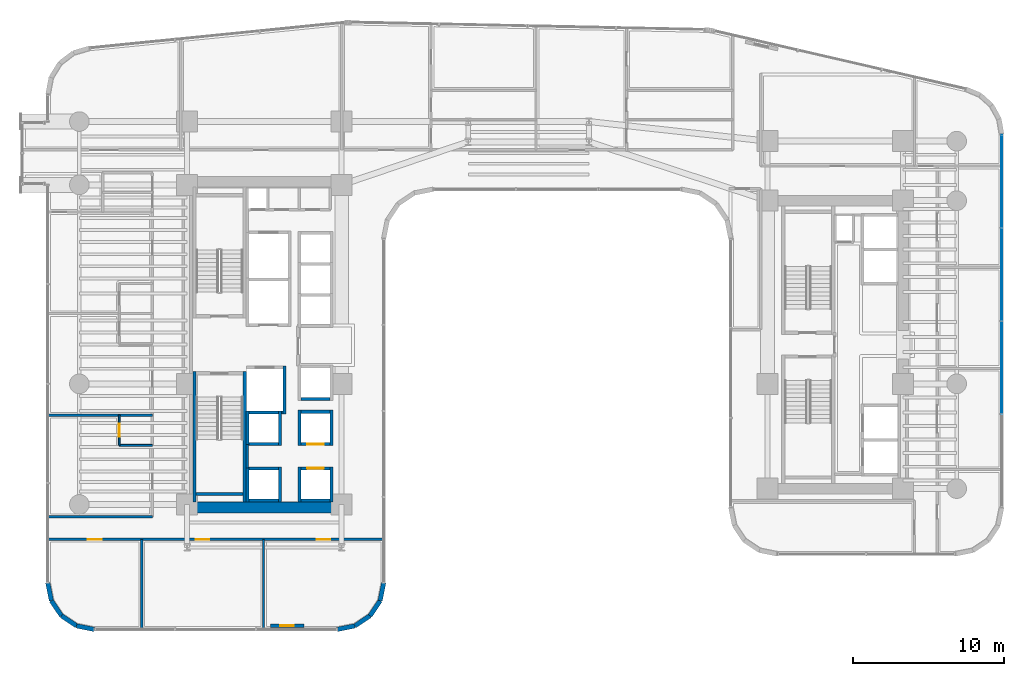
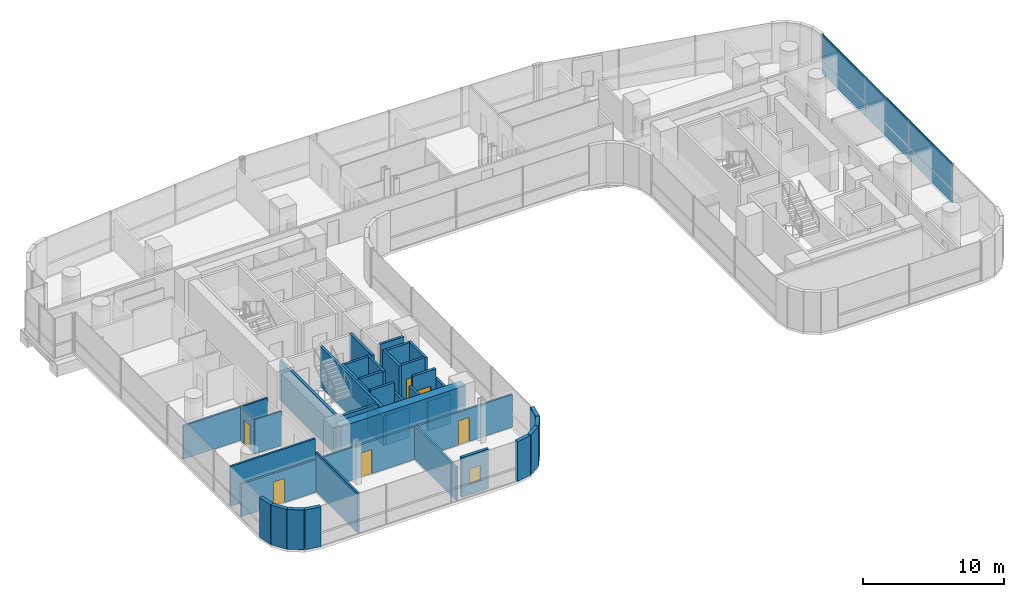
# One storey, part 31 of 41: 39 walls, 6 doors, 5 plates, 1 window, 7 openings, 1 element without a shape of its own.
"""IFC4 building model written with IfcOpenShell, lengths in metres."""

from ifc_helpers import new_model, si_unit, direction, frame, frame_2d, origin, origin_2d, place, context, subcontext, project, spatial, rectangle, extrude, source, transform, mapped, material, layer, layer_set, type_object, element, fill, aggregate, save


model = new_model("IFC4")

# Units and contexts
model_context = context("Model", 3, precision=1e-05, world=origin(), true_north=direction((0.0, 1.0)))
body_context = subcontext(model_context, "Body", "Model", "MODEL_VIEW")
ifc_project = project(units=[si_unit("LENGTHUNIT", "METRE"), si_unit("AREAUNIT", "SQUARE_METRE"), si_unit("VOLUMEUNIT", "CUBIC_METRE"), si_unit("PLANEANGLEUNIT", "RADIAN"), si_unit("MASSUNIT", "GRAM", prefix="KILO")], contexts=[model_context])

# Site, building, storey
site_placement = place(None, origin())
site = spatial("IfcSite", under=ifc_project, at=site_placement, CompositionType="ELEMENT")
building_placement = place(site_placement, origin())
building = spatial("IfcBuilding", under=site, at=building_placement, Name="Valdorenza Pilgrim Sanctuary Tower", CompositionType="ELEMENT")
storey_placement = place(building_placement, frame((0.0, 0.0, 85.199951171875)))
storey = spatial("IfcBuildingStorey", under=building, at=storey_placement, Name="L21", CompositionType="ELEMENT", Elevation=85.199951171875)

# Curtain wall, plates
ifc_material_1 = material(Name="Curtain-wall IGU glazing", Category="glass")
curtain_wall_type = type_object("IfcCurtainWallType", Name="CW-SYS-03", PredefinedType="NOTDEFINED", material=ifc_material_1)
curtain_wall_placement = place(storey_placement, origin())
curtain_wall = element("IfcCurtainWall", 1, at=curtain_wall_placement, inside=storey, type_object=curtain_wall_type, Name="L21 Curtain Wall CW-L21-1-21", PredefinedType="NOTDEFINED")
ifc_material_2 = material(Name="Honed travertine limestone", Category="masonry")
ifc_layer_1 = layer(ifc_material_2, 0.050048828125, Name="Honed travertine limestone")
ifc_layer_set_1 = layer_set([ifc_layer_1], Name="Honed travertine limestone")
plate_type_1 = type_object("IfcPlateType", Name="CW-SPN-TRV", PredefinedType="USERDEFINED", material=ifc_layer_set_1)
shared_shape_1 = source(origin(), body_context, "Body", "SweptSolid", [
    extrude(rectangle(XDim=6.16357421875, YDim=0.06005859375, at=origin_2d()), origin(), (0.0, 0.0, 1.0), 1.10009765625),
])
plate_1_placement = place(storey_placement, frame((31.389892578125, 10.853271484375, 0.010009765625), z_axis=(0.0, 0.0, 1.0), x_axis=(0.0, -1.0, 0.0)))
plate_1 = element("IfcPlate", 2, at=plate_1_placement, type_object=plate_type_1, Name="CW-L21-1-21 Travertine Spandrel 1", ObjectType="SPANDREL", PredefinedType="USERDEFINED", context=body_context, shape_type="MappedRepresentation", body=[
    mapped(shared_shape_1, transform((0.0, 0.0, 0.0), x_axis=(1.0, 0.0, 0.0), y_axis=(0.0, 1.0, 0.0), z_axis=(0.0, 0.0, 1.0), scale=1.0)),
])
plate_2_placement = place(storey_placement, frame((31.389892578125, -1.513916015625, 0.010009765625), z_axis=(0.0, 0.0, 1.0), x_axis=(0.0, -1.0, 0.0)))
plate_2 = element("IfcPlate", 3, at=plate_2_placement, type_object=plate_type_1, Name="CW-L21-1-21 Travertine Spandrel 3", ObjectType="SPANDREL", PredefinedType="USERDEFINED", context=body_context, shape_type="MappedRepresentation", body=[
    mapped(shared_shape_1, transform((0.0, 0.0, 0.0), x_axis=(1.0, 0.0, 0.0), y_axis=(0.0, 1.0, 0.0), z_axis=(0.0, 0.0, 1.0), scale=1.0)),
])
ifc_material_3 = material(Name="Ceramic-fritted low-E IGU glazing", Category="glass")
ifc_layer_2 = layer(ifc_material_3, 0.035888671875, Name="Ceramic-fritted low-E IGU glazing")
ifc_layer_set_2 = layer_set([ifc_layer_2], Name="Ceramic-fritted low-E IGU glazing")
plate_type_2 = type_object("IfcPlateType", Name="CW-GLZ-IGU", PredefinedType="USERDEFINED", material=ifc_layer_set_2)
shared_shape_2 = source(origin(), body_context, "Body", "SweptSolid", [
    extrude(rectangle(XDim=6.16357421875, YDim=0.050048828125, at=origin_2d()), origin(), (0.0, 0.0, 1.0), 2.320068359375),
])
plate_3_placement = place(storey_placement, frame((31.389892578125, 10.853271484375, 1.1298828125), z_axis=(0.0, 0.0, 1.0), x_axis=(0.0, -1.0, 0.0)))
plate_3 = element("IfcPlate", 4, at=plate_3_placement, type_object=plate_type_2, Name="CW-L21-1-21 Facade Panel 1", ObjectType="GLAZING", PredefinedType="USERDEFINED", context=body_context, shape_type="MappedRepresentation", body=[
    mapped(shared_shape_2, transform((0.0, 0.0, 0.0), x_axis=(1.0, 0.0, 0.0), y_axis=(0.0, 1.0, 0.0), z_axis=(0.0, 0.0, 1.0), scale=1.0)),
])
plate_4_placement = place(storey_placement, frame((31.389892578125, -1.513916015625, 1.1298828125), z_axis=(0.0, 0.0, 1.0), x_axis=(0.0, -1.0, 0.0)))
plate_4 = element("IfcPlate", 5, at=plate_4_placement, type_object=plate_type_2, Name="CW-L21-1-21 Facade Panel 3", ObjectType="GLAZING", PredefinedType="USERDEFINED", context=body_context, shape_type="MappedRepresentation", body=[
    mapped(shared_shape_2, transform((0.0, 0.0, 0.0), x_axis=(1.0, 0.0, 0.0), y_axis=(0.0, 1.0, 0.0), z_axis=(0.0, 0.0, 1.0), scale=1.0)),
])
shared_shape_3 = source(origin(), body_context, "Body", "SweptSolid", [
    extrude(rectangle(XDim=6.16357421875, YDim=0.050048828125, at=origin_2d()), origin(), (0.0, 0.0, 1.0), 3.43994140625),
])
plate_5_placement = place(storey_placement, frame((31.389892578125, 4.669677734375, 0.010009765625), z_axis=(0.0, 0.0, 1.0), x_axis=(0.0, -1.0, 0.0)))
plate_5 = element("IfcPlate", 6, at=plate_5_placement, type_object=plate_type_2, Name="CW-L21-1-21 Full-Height Facade Panel 2", ObjectType="GLAZING", PredefinedType="USERDEFINED", context=body_context, shape_type="MappedRepresentation", body=[
    mapped(shared_shape_3, transform((0.0, 0.0, 0.0), x_axis=(1.0, 0.0, 0.0), y_axis=(0.0, 1.0, 0.0), z_axis=(0.0, 0.0, 1.0), scale=1.0)),
])
aggregate(curtain_wall, [plate_1, plate_3, plate_5, plate_2, plate_4])

# Wall
ifc_material_4 = material(Name="Acoustic twin-stud gypsum partition", Category="gypsum")
ifc_layer_3 = layer(ifc_material_4, 0.159912109375, Name="Acoustic twin-stud gypsum partition")
ifc_layer_set_3 = layer_set([ifc_layer_3], Name="Acoustic twin-stud gypsum partition")
wall_type_1 = type_object("IfcWallType", Name="WAL-COR-160", PredefinedType="PARTITIONING", material=ifc_layer_set_3)
wall_1_placement = place(storey_placement, frame((-18.64990234375, -8.179931640625, 0.0), z_axis=(0.0, 0.0, 1.0), x_axis=(0.0, 1.0, 0.0)))
element("IfcWall", 7, at=wall_1_placement, inside=storey, type_object=wall_type_1, Name="L21 Core A South Lift Hall West Wall", PredefinedType="PARTITIONING", context=body_context, shape_type="SweptSolid", body=[
    extrude(rectangle(XDim=1.559814453125, YDim=0.159912109375, at=frame_2d((0.77978515625, 0.0))), origin(), (0.0, 0.0, 1.0), 3.4599609375),
])

# Wall, openings, doors
wall_2_placement = place(storey_placement, frame((-31.889892578125, -12.919921875, 0.0), z_axis=(0.0, 0.0, 1.0), x_axis=(1.0, 0.0, 0.0)))
wall_2 = element("IfcWall", 8, at=wall_2_placement, inside=storey, type_object=wall_type_1, Name="L21 South Wing Corridor Wall", PredefinedType="PARTITIONING", context=body_context, shape_type="SweptSolid", body=[
    extrude(rectangle(XDim=22.27978515625, YDim=0.159912109375, at=frame_2d((11.139892578125, 0.0))), origin(), (0.0, 0.0, 1.0), 2.833984375),
])
opening_1_placement = place(wall_2_placement, frame((2.6650390625, 0.0, 0.0)))
opening_1 = element("IfcOpeningElement", 9, at=opening_1_placement, cuts=wall_2, Name="Opening DR-RM1", PredefinedType="OPENING", context=body_context, shape_type="SweptSolid", body=[
    extrude(rectangle(XDim=0.89990234375, YDim=2.10009765625, at=frame_2d((0.449951171875, 1.050048828125))), frame((0.0, 0.0947265625, 0.0), z_axis=(0.0, -1.0, 0.0), x_axis=(1.0, 0.0, 0.0)), (0.0, 0.0, 1.0), 0.189697265625),
])
opening_2_placement = place(wall_2_placement, frame((9.820068359375, 0.0, 0.0)))
opening_2 = element("IfcOpeningElement", 10, at=opening_2_placement, cuts=wall_2, Name="Opening DR-RM1", PredefinedType="OPENING", context=body_context, shape_type="SweptSolid", body=[
    extrude(rectangle(XDim=0.89990234375, YDim=2.10009765625, at=frame_2d((0.449951171875, 1.050048828125))), frame((0.0, 0.0947265625, 0.0), z_axis=(0.0, -1.0, 0.0), x_axis=(1.0, 0.0, 0.0)), (0.0, 0.0, 1.0), 0.189697265625),
])
opening_3_placement = place(wall_2_placement, frame((17.844970703125, 0.0, 0.0)))
opening_3 = element("IfcOpeningElement", 11, at=opening_3_placement, cuts=wall_2, Name="Opening DR-RM1", PredefinedType="OPENING", context=body_context, shape_type="SweptSolid", body=[
    extrude(rectangle(XDim=0.89990234375, YDim=2.10009765625, at=frame_2d((0.449951171875, 1.050048828125))), frame((0.0, 0.0947265625, 0.0), z_axis=(0.0, -1.0, 0.0), x_axis=(1.0, 0.0, 0.0)), (0.0, 0.0, 1.0), 0.189697265625),
])
ifc_material_5 = material(Name="Solid-core European oak timber", Category="wood")
door_type_1 = type_object("IfcDoorType", Name="DR-ROOM-900", OperationType="NOTDEFINED", PredefinedType="DOOR", material=ifc_material_5)
door_1_placement = place(opening_1_placement, frame((0.89990234375, 0.0, 0.0), z_axis=(0.0, 0.0, 1.0), x_axis=(-1.0, 0.0, 0.0)))
door_1 = element("IfcDoor", 12, at=door_1_placement, inside=storey, type_object=door_type_1, Name="L21 Retreat Discussion Room L21-S1 Door", OperationType="SINGLE_SWING_LEFT", OverallHeight=2.10009765625, OverallWidth=0.89990234375, PredefinedType="DOOR", context=body_context, shape_type="SweptSolid", body=[
    extrude(rectangle(XDim=0.89990234375, YDim=2.10009765625, at=frame_2d((0.449951171875, 1.050048828125))), frame((0.0, 0.02490234375, 0.0), z_axis=(0.0, -1.0, 0.0), x_axis=(1.0, 0.0, 0.0)), (0.0, 0.0, 1.0), 0.050048828125),
])
fill(opening_1, door_1)
door_2_placement = place(opening_2_placement, origin())
door_2 = element("IfcDoor", 13, at=door_2_placement, inside=storey, type_object=door_type_1, Name="L21 Retreat Discussion Room L21-S2 Door", OperationType="SINGLE_SWING_RIGHT", OverallHeight=2.10009765625, OverallWidth=0.89990234375, PredefinedType="DOOR", context=body_context, shape_type="SweptSolid", body=[
    extrude(rectangle(XDim=0.89990234375, YDim=2.10009765625, at=frame_2d((0.449951171875, 1.050048828125))), frame((0.0, 0.02490234375, 0.0), z_axis=(0.0, -1.0, 0.0), x_axis=(1.0, 0.0, 0.0)), (0.0, 0.0, 1.0), 0.050048828125),
])
fill(opening_2, door_2)
door_3_placement = place(opening_3_placement, frame((0.89990234375, 0.0, 0.0), z_axis=(0.0, 0.0, 1.0), x_axis=(-1.0, 0.0, 0.0)))
door_3 = element("IfcDoor", 14, at=door_3_placement, inside=storey, type_object=door_type_1, Name="L21 Retreat Discussion Room L21-S3 Door", OperationType="SINGLE_SWING_LEFT", OverallHeight=2.10009765625, OverallWidth=0.89990234375, PredefinedType="DOOR", context=body_context, shape_type="SweptSolid", body=[
    extrude(rectangle(XDim=0.89990234375, YDim=2.10009765625, at=frame_2d((0.449951171875, 1.050048828125))), frame((0.0, 0.02490234375, 0.0), z_axis=(0.0, -1.0, 0.0), x_axis=(1.0, 0.0, 0.0)), (0.0, 0.0, 1.0), 0.050048828125),
])
fill(opening_3, door_3)

# Walls
wall_3_placement = place(storey_placement, frame((-31.889892578125, -11.419921875, 0.0), z_axis=(0.0, 0.0, 1.0), x_axis=(1.0, 0.0, 0.0)))
element("IfcWall", 15, at=wall_3_placement, inside=storey, type_object=wall_type_1, Name="L21 South-West Corridor North Wall", PredefinedType="PARTITIONING", context=body_context, shape_type="SweptSolid", body=[
    extrude(rectangle(XDim=6.93994140625, YDim=0.159912109375, at=frame_2d((3.469970703125, 0.0))), origin(), (0.0, 0.0, 1.0), 3.4599609375),
])
ifc_material_6 = material(Name="Concrete C60/75", Category="concrete")
ifc_layer_4 = layer(ifc_material_6, 0.699951171875, Name="Concrete C60/75")
ifc_layer_set_4 = layer_set([ifc_layer_4], Name="Concrete C60/75")
wall_type_2 = type_object("IfcWallType", Name="WAL-COR-700", PredefinedType="SHEAR", material=ifc_layer_set_4)
wall_4_placement = place(storey_placement, frame((-22.64990234375, -10.800048828125, 0.0), z_axis=(0.0, 0.0, 1.0), x_axis=(1.0, 0.0, 0.0)))
element("IfcWall", 16, at=wall_4_placement, inside=storey, type_object=wall_type_2, Name="L21 Split Core A Shear Wall S", PredefinedType="SHEAR", context=body_context, shape_type="SweptSolid", body=[
    extrude(rectangle(XDim=10.25, YDim=0.699951171875, at=frame_2d((5.125, 0.0))), origin(), (0.0, 0.0, 1.0), 3.4599609375),
])
ifc_layer_5 = layer(ifc_material_2, 0.300048828125, Name="Honed travertine limestone")
ifc_layer_set_5 = layer_set([ifc_layer_5], Name="Honed travertine limestone")
wall_type_3 = type_object("IfcWallType", Name="WAL-EXT-300", PredefinedType="SOLIDWALL", material=ifc_layer_set_5)
wall_5_placement = place(storey_placement, frame((-9.610107421875, -15.789306640625, 0.0), z_axis=(0.0, 0.0, 1.0), x_axis=(-0.194996050505, -0.980804027463, 0.0)))
element("IfcWall", 17, at=wall_5_placement, inside=storey, type_object=wall_type_3, Name="L21 Rounded Wind-Corner Stone Pier 42", PredefinedType="SOLIDWALL", context=body_context, shape_type="SweptSolid", body=[
    extrude(rectangle(XDim=1.2158203125, YDim=0.300048828125, at=frame_2d((0.60791015625, 0.0))), origin(), (0.0, 0.0, 1.0), 3.4599609375),
])
for number, where, z_axis, x_axis, name in (
    (18, (-9.84716796875, -16.981689453125, 0.0), (0.0, 0.0, 1.0), (-0.555635100982, -0.831426265255, 0.0), "L21 Rounded Wind-Corner Stone Pier 43"),
    (19, (-10.5166015625, -17.9833984375, 0.0), (0.0, 0.0, 1.0), (-0.831426265255, -0.555635100982, 0.0), "L21 Rounded Wind-Corner Stone Pier 44"),
):
    element("IfcWall", number, at=place(storey_placement, frame(where, z_axis=z_axis, x_axis=x_axis)), inside=storey, type_object=wall_type_3, Name=name, PredefinedType="SOLIDWALL", context=body_context, shape_type="SweptSolid", body=[
        extrude(rectangle(XDim=1.204833984375, YDim=0.300048828125, at=frame_2d((0.6025390625, 0.0))), origin(), (0.0, 0.0, 1.0), 3.4599609375),
    ])
wall_6_placement = place(storey_placement, frame((-11.518310546875, -18.65283203125, 0.0), z_axis=(0.0, 0.0, 1.0), x_axis=(-0.980804027463, -0.194996050505, 0.0)))
element("IfcWall", 20, at=wall_6_placement, inside=storey, type_object=wall_type_3, Name="L21 Rounded Wind-Corner Stone Pier 45", PredefinedType="SOLIDWALL", context=body_context, shape_type="SweptSolid", body=[
    extrude(rectangle(XDim=1.2158203125, YDim=0.300048828125, at=frame_2d((0.60791015625, 0.0))), origin(), (0.0, 0.0, 1.0), 3.4599609375),
])

# Wall, opening, window
wall_7_placement = place(storey_placement, frame((-14.910888671875, -18.64990234375, 0.0), z_axis=(0.0, 0.0, 1.0), x_axis=(-1.0, 0.0, 0.0)))
wall_7 = element("IfcWall", 21, at=wall_7_placement, inside=storey, type_object=wall_type_3, Name="L21 Operable Ventilation Sash Jamb Pier", PredefinedType="SOLIDWALL", context=body_context, shape_type="SweptSolid", body=[
    extrude(rectangle(XDim=2.199951171875, YDim=0.219970703125, at=frame_2d((1.10009765625, 0.0))), origin(), (0.0, 0.0, 1.0), 3.4599609375),
])
opening_4_placement = place(wall_7_placement, frame((0.64990234375, 0.0, 0.949951171875)))
opening_4 = element("IfcOpeningElement", 22, at=opening_4_placement, cuts=wall_7, Name="Opening WN-OP1", PredefinedType="OPENING", context=body_context, shape_type="SweptSolid", body=[
    extrude(rectangle(XDim=0.89990234375, YDim=1.300048828125, at=frame_2d((0.449951171875, 0.64990234375))), frame((0.0, 0.125, 0.0), z_axis=(0.0, -1.0, 0.0), x_axis=(1.0, 0.0, 0.0)), (0.0, 0.0, 1.0), 0.249755859375),
])
window_type = type_object("IfcWindowType", Name="WIN-OPN-900", PartitioningType="SINGLE_PANEL", PredefinedType="WINDOW", material=ifc_material_3)
window_placement = place(opening_4_placement, origin())
window = element("IfcWindow", 23, at=window_placement, inside=storey, type_object=window_type, Name="L21 Parallel-Pop-Out Operable Facade Panel", OverallHeight=1.300048828125, OverallWidth=0.89990234375, PartitioningType="SINGLE_PANEL", PredefinedType="WINDOW", context=body_context, shape_type="SweptSolid", body=[
    extrude(rectangle(XDim=0.89990234375, YDim=1.300048828125, at=frame_2d((0.449951171875, 0.64990234375))), frame((0.0, 0.030029296875, 0.0), z_axis=(0.0, -1.0, 0.0), x_axis=(1.0, 0.0, 0.0)), (0.0, 0.0, 1.0), 0.06005859375),
])
fill(opening_4, window)

# Walls
wall_8_placement = place(storey_placement, frame((-28.789306640625, -18.889892578125, 0.0), z_axis=(0.0, 0.0, 1.0), x_axis=(-0.980804027463, 0.194996050505, 0.0)))
element("IfcWall", 24, at=wall_8_placement, inside=storey, type_object=wall_type_3, Name="L21 Rounded Wind-Corner Stone Pier 47", PredefinedType="SOLIDWALL", context=body_context, shape_type="SweptSolid", body=[
    extrude(rectangle(XDim=1.2158203125, YDim=0.300048828125, at=frame_2d((0.60791015625, 0.0))), origin(), (0.0, 0.0, 1.0), 3.4599609375),
])
for number, where, z_axis, x_axis, name in (
    (25, (-29.981689453125, -18.65283203125, 0.0), (0.0, 0.0, 1.0), (-0.831426265255, 0.555635100982, 0.0), "L21 Rounded Wind-Corner Stone Pier 48"),
    (26, (-30.9833984375, -17.9833984375, 0.0), (0.0, 0.0, 1.0), (-0.555635100982, 0.831426265255, 0.0), "L21 Rounded Wind-Corner Stone Pier 49"),
):
    element("IfcWall", number, at=place(storey_placement, frame(where, z_axis=z_axis, x_axis=x_axis)), inside=storey, type_object=wall_type_3, Name=name, PredefinedType="SOLIDWALL", context=body_context, shape_type="SweptSolid", body=[
        extrude(rectangle(XDim=1.204833984375, YDim=0.300048828125, at=frame_2d((0.6025390625, 0.0))), origin(), (0.0, 0.0, 1.0), 3.4599609375),
    ])
wall_9_placement = place(storey_placement, frame((-31.65283203125, -16.981689453125, 0.0), z_axis=(0.0, 0.0, 1.0), x_axis=(-0.194996050505, 0.980804027463, 0.0)))
element("IfcWall", 27, at=wall_9_placement, inside=storey, type_object=wall_type_3, Name="L21 Rounded Wind-Corner Stone Pier 50", PredefinedType="SOLIDWALL", context=body_context, shape_type="SweptSolid", body=[
    extrude(rectangle(XDim=1.2158203125, YDim=0.300048828125, at=frame_2d((0.60791015625, 0.0))), origin(), (0.0, 0.0, 1.0), 3.4599609375),
])
ifc_material_7 = material(Name="Moisture-resistant gypsum partition", Category="gypsum")
ifc_layer_6 = layer(ifc_material_7, 0.1201171875, Name="Moisture-resistant gypsum partition")
ifc_layer_set_6 = layer_set([ifc_layer_6], Name="Moisture-resistant gypsum partition")
wall_type_4 = type_object("IfcWallType", Name="WAL-INT-120", PredefinedType="PARTITIONING", material=ifc_layer_set_6)
wall_10_placement = place(storey_placement, frame((-27.14990234375, -6.679931640625, 0.0), z_axis=(0.0, 0.0, 1.0), x_axis=(1.0, 0.0, 0.0)))
element("IfcWall", 28, at=wall_10_placement, inside=storey, type_object=wall_type_4, Name="L21 Sanctuary Guest Room L21-W1 En-suite South Wall", PredefinedType="PARTITIONING", context=body_context, shape_type="SweptSolid", body=[
    extrude(rectangle(XDim=2.199951171875, YDim=0.1201171875, at=frame_2d((1.10009765625, 0.0))), origin(), (0.0, 0.0, 1.0), 2.97900390625),
])

# Wall, opening, door
wall_11_placement = place(storey_placement, frame((-27.14990234375, -6.679931640625, 0.0), z_axis=(0.0, 0.0, 1.0), x_axis=(0.0, 1.0, 0.0)))
wall_11 = element("IfcWall", 29, at=wall_11_placement, inside=storey, type_object=wall_type_4, Name="L21 Sanctuary Guest Room L21-W1 En-suite Door Wall", PredefinedType="PARTITIONING", context=body_context, shape_type="SweptSolid", body=[
    extrude(rectangle(XDim=2.0, YDim=0.1201171875, at=frame_2d((1.0, 0.0))), origin(), (0.0, 0.0, 1.0), 2.97900390625),
])
opening_5_placement = place(wall_11_placement, frame((0.574951171875, 0.0, 0.0)))
opening_5 = element("IfcOpeningElement", 30, at=opening_5_placement, cuts=wall_11, Name="Opening DR-WC1", PredefinedType="OPENING", context=body_context, shape_type="SweptSolid", body=[
    extrude(rectangle(XDim=0.85009765625, YDim=2.10009765625, at=frame_2d((0.425048828125, 1.050048828125))), frame((0.0, 0.074951171875, 0.0), z_axis=(0.0, -1.0, 0.0), x_axis=(1.0, 0.0, 0.0)), (0.0, 0.0, 1.0), 0.14990234375),
])
ifc_material_8 = material(Name="Moisture-resistant lacquered timber", Category="wood")
door_type_2 = type_object("IfcDoorType", Name="DR-BATH-850", OperationType="NOTDEFINED", PredefinedType="DOOR", material=ifc_material_8)
door_4_placement = place(opening_5_placement, origin())
door_4 = element("IfcDoor", 31, at=door_4_placement, inside=storey, type_object=door_type_2, Name="L21 Sanctuary Guest Room L21-W1 En-suite Bathroom Door", OperationType="SINGLE_SWING_RIGHT", OverallHeight=2.10009765625, OverallWidth=0.85009765625, PredefinedType="DOOR", context=body_context, shape_type="SweptSolid", body=[
    extrude(rectangle(XDim=0.85009765625, YDim=2.10009765625, at=frame_2d((0.425048828125, 1.050048828125))), frame((0.0, 0.02490234375, 0.0), z_axis=(0.0, -1.0, 0.0), x_axis=(1.0, 0.0, 0.0)), (0.0, 0.0, 1.0), 0.050048828125),
])
fill(opening_5, door_4)

# Walls
ifc_material_9 = material(Name="Autoclaved aerated concrete blockwork", Category="masonry")
ifc_layer_7 = layer(ifc_material_9, 0.199951171875, Name="Autoclaved aerated concrete blockwork")
ifc_layer_set_7 = layer_set([ifc_layer_7], Name="Autoclaved aerated concrete blockwork")
wall_type_5 = type_object("IfcWallType", Name="WAL-SHF-200", PredefinedType="MOVABLE", material=ifc_layer_set_7)
wall_12_placement = place(storey_placement, frame((-16.199951171875, -4.60009765625, 0.0), z_axis=(0.0, 0.0, 1.0), x_axis=(0.0, 1.0, 0.0)))
element("IfcWall", 32, at=wall_12_placement, inside=storey, type_object=wall_type_5, Name="L21 Lift FFL-02 Hoistway Wall East", PredefinedType="MOVABLE", context=body_context, shape_type="SweptSolid", body=[
    extrude(rectangle(XDim=3.2001953125, YDim=0.199951171875, at=frame_2d((1.60009765625, 0.0))), origin(), (0.0, 0.0, 1.0), 3.4599609375),
])
wall_13_placement = place(storey_placement, frame((-18.719970703125, -4.5, 0.0), z_axis=(0.0, 0.0, 1.0), x_axis=(1.0, 0.0, 0.0)))
element("IfcWall", 33, at=wall_13_placement, inside=storey, type_object=wall_type_5, Name="L21 Lift FFL-02 Hoistway Wall South", PredefinedType="MOVABLE", context=body_context, shape_type="SweptSolid", body=[
    extrude(rectangle(XDim=2.419921875, YDim=0.199951171875, at=frame_2d((1.2099609375, 0.0))), origin(), (0.0, 0.0, 1.0), 3.4599609375),
])
for number, where, z_axis, x_axis, name in (
    (34, (-15.199951171875, -10.449951171875, 0.0), (0.0, 0.0, 1.0), (0.0, 1.0, 0.0), "L21 Lift PL-01 Hoistway Wall West"),
    (35, (-13.080078125, -10.449951171875, 0.0), (0.0, 0.0, 1.0), (0.0, 1.0, 0.0), "L21 Lift PL-01 Hoistway Wall East"),
):
    element("IfcWall", number, at=place(storey_placement, frame(where, z_axis=z_axis, x_axis=x_axis)), inside=storey, type_object=wall_type_5, Name=name, PredefinedType="MOVABLE", context=body_context, shape_type="SweptSolid", body=[
        extrude(rectangle(XDim=2.349853515625, YDim=0.199951171875, at=frame_2d((1.1748046875, 0.0))), origin(), (0.0, 0.0, 1.0), 2.5830078125),
    ])
wall_14_placement = place(storey_placement, frame((-15.10009765625, -10.35009765625, 0.0), z_axis=(0.0, 0.0, 1.0), x_axis=(1.0, 0.0, 0.0)))
element("IfcWall", 36, at=wall_14_placement, inside=storey, type_object=wall_type_5, Name="L21 Lift PL-01 Hoistway Wall South", PredefinedType="MOVABLE", context=body_context, shape_type="SweptSolid", body=[
    extrude(rectangle(XDim=1.920166015625, YDim=0.199951171875, at=frame_2d((0.9599609375, 0.0))), origin(), (0.0, 0.0, 1.0), 2.5830078125),
])

# Wall, opening, door
wall_15_placement = place(storey_placement, frame((-15.10009765625, -8.199951171875, 0.0), z_axis=(0.0, 0.0, 1.0), x_axis=(1.0, 0.0, 0.0)))
wall_15 = element("IfcWall", 37, at=wall_15_placement, inside=storey, type_object=wall_type_5, Name="L21 Lift PL-01 Hoistway Wall North", PredefinedType="MOVABLE", context=body_context, shape_type="SweptSolid", body=[
    extrude(rectangle(XDim=1.920166015625, YDim=0.199951171875, at=frame_2d((0.9599609375, 0.0))), origin(), (0.0, 0.0, 1.0), 3.4599609375),
])
opening_6_placement = place(wall_15_placement, frame((0.409912109375, 0.0, 0.0)))
opening_6 = element("IfcOpeningElement", 38, at=opening_6_placement, cuts=wall_15, Name="Opening LD-01", PredefinedType="OPENING", context=body_context, shape_type="SweptSolid", body=[
    extrude(rectangle(XDim=1.10009765625, YDim=2.10009765625, at=frame_2d((0.550048828125, 1.050048828125))), frame((0.0, 0.11474609375, 0.0), z_axis=(0.0, -1.0, 0.0), x_axis=(1.0, 0.0, 0.0)), (0.0, 0.0, 1.0), 0.229736328125),
])
ifc_material_10 = material(Name="Brushed stainless steel Grade 316", Category="steel")
door_type_3 = type_object("IfcDoorType", Name="DR-LFT-1100", OperationType="DOUBLE_DOOR_SLIDING", PredefinedType="DOOR", material=ifc_material_10)
door_5_placement = place(opening_6_placement, origin())
door_5 = element("IfcDoor", 39, at=door_5_placement, inside=storey, type_object=door_type_3, Name="L21 Lift PL-01 Sliding Landing Door", OperationType="DOUBLE_DOOR_SLIDING", OverallHeight=2.10009765625, OverallWidth=1.10009765625, PredefinedType="DOOR", context=body_context, shape_type="SweptSolid", body=[
    extrude(rectangle(XDim=1.10009765625, YDim=2.10009765625, at=frame_2d((0.550048828125, 1.050048828125))), frame((0.0, 0.02490234375, 0.0), z_axis=(0.0, -1.0, 0.0), x_axis=(1.0, 0.0, 0.0)), (0.0, 0.0, 1.0), 0.050048828125),
])
fill(opening_6, door_5)

# Walls
for number, where, z_axis, x_axis, name in (
    (40, (-15.199951171875, -6.699951171875, 0.0), (0.0, 0.0, 1.0), (0.0, 1.0, 0.0), "L21 Lift PL-02 Hoistway Wall West"),
    (41, (-13.080078125, -6.699951171875, 0.0), (0.0, 0.0, 1.0), (0.0, 1.0, 0.0), "L21 Lift PL-02 Hoistway Wall East"),
):
    element("IfcWall", number, at=place(storey_placement, frame(where, z_axis=z_axis, x_axis=x_axis)), inside=storey, type_object=wall_type_5, Name=name, PredefinedType="MOVABLE", context=body_context, shape_type="SweptSolid", body=[
        extrude(rectangle(XDim=2.349853515625, YDim=0.199951171875, at=frame_2d((1.1748046875, 0.0))), origin(), (0.0, 0.0, 1.0), 3.4599609375),
    ])

# Wall, opening, door
wall_16_placement = place(storey_placement, frame((-15.10009765625, -6.60009765625, 0.0), z_axis=(0.0, 0.0, 1.0), x_axis=(1.0, 0.0, 0.0)))
wall_16 = element("IfcWall", 42, at=wall_16_placement, inside=storey, type_object=wall_type_5, Name="L21 Lift PL-02 Hoistway Wall South", PredefinedType="MOVABLE", context=body_context, shape_type="SweptSolid", body=[
    extrude(rectangle(XDim=1.920166015625, YDim=0.199951171875, at=frame_2d((0.9599609375, 0.0))), origin(), (0.0, 0.0, 1.0), 3.4599609375),
])
opening_7_placement = place(wall_16_placement, frame((0.409912109375, 0.0, 0.0)))
opening_7 = element("IfcOpeningElement", 43, at=opening_7_placement, cuts=wall_16, Name="Opening LD-01", PredefinedType="OPENING", context=body_context, shape_type="SweptSolid", body=[
    extrude(rectangle(XDim=1.10009765625, YDim=2.10009765625, at=frame_2d((0.550048828125, 1.050048828125))), frame((0.0, 0.11474609375, 0.0), z_axis=(0.0, -1.0, 0.0), x_axis=(1.0, 0.0, 0.0)), (0.0, 0.0, 1.0), 0.229736328125),
])
door_6_placement = place(opening_7_placement, origin())
door_6 = element("IfcDoor", 44, at=door_6_placement, inside=storey, type_object=door_type_3, Name="L21 Lift PL-02 Sliding Landing Door", OperationType="DOUBLE_DOOR_SLIDING", OverallHeight=2.10009765625, OverallWidth=1.10009765625, PredefinedType="DOOR", context=body_context, shape_type="SweptSolid", body=[
    extrude(rectangle(XDim=1.10009765625, YDim=2.10009765625, at=frame_2d((0.550048828125, 1.050048828125))), frame((0.0, 0.02490234375, 0.0), z_axis=(0.0, -1.0, 0.0), x_axis=(1.0, 0.0, 0.0)), (0.0, 0.0, 1.0), 0.050048828125),
])
fill(opening_7, door_6)

# Walls
wall_17_placement = place(storey_placement, frame((-15.10009765625, -4.449951171875, 0.0), z_axis=(0.0, 0.0, 1.0), x_axis=(1.0, 0.0, 0.0)))
element("IfcWall", 45, at=wall_17_placement, inside=storey, type_object=wall_type_5, Name="L21 Lift PL-02 Hoistway Wall North", PredefinedType="MOVABLE", context=body_context, shape_type="SweptSolid", body=[
    extrude(rectangle(XDim=1.920166015625, YDim=0.199951171875, at=frame_2d((0.9599609375, 0.0))), origin(), (0.0, 0.0, 1.0), 3.4599609375),
])
for number, where, z_axis, x_axis, name in (
    (46, (-18.64990234375, -10.449951171875, 0.0), (0.0, 0.0, 1.0), (0.0, 1.0, 0.0), "L21 Lift PL-05 Hoistway Wall West"),
    (47, (-16.5, -10.449951171875, 0.0), (0.0, 0.0, 1.0), (0.0, 1.0, 0.0), "L21 Lift PL-05 Hoistway Wall East"),
):
    element("IfcWall", number, at=place(storey_placement, frame(where, z_axis=z_axis, x_axis=x_axis)), inside=storey, type_object=wall_type_5, Name=name, PredefinedType="MOVABLE", context=body_context, shape_type="SweptSolid", body=[
        extrude(rectangle(XDim=2.349853515625, YDim=0.199951171875, at=frame_2d((1.1748046875, 0.0))), origin(), (0.0, 0.0, 1.0), 2.5830078125),
    ])
wall_18_placement = place(storey_placement, frame((-18.550048828125, -10.35009765625, 0.0), z_axis=(0.0, 0.0, 1.0), x_axis=(1.0, 0.0, 0.0)))
element("IfcWall", 48, at=wall_18_placement, inside=storey, type_object=wall_type_5, Name="L21 Lift PL-05 Hoistway Wall South", PredefinedType="MOVABLE", context=body_context, shape_type="SweptSolid", body=[
    extrude(rectangle(XDim=1.949951171875, YDim=0.199951171875, at=frame_2d((0.97509765625, 0.0))), origin(), (0.0, 0.0, 1.0), 2.5830078125),
])
wall_19_placement = place(storey_placement, frame((-18.550048828125, -8.199951171875, 0.0), z_axis=(0.0, 0.0, 1.0), x_axis=(1.0, 0.0, 0.0)))
element("IfcWall", 49, at=wall_19_placement, inside=storey, type_object=wall_type_5, Name="L21 Lift PL-05 Hoistway Wall North", PredefinedType="MOVABLE", context=body_context, shape_type="SweptSolid", body=[
    extrude(rectangle(XDim=1.949951171875, YDim=0.199951171875, at=frame_2d((0.97509765625, 0.0))), origin(), (0.0, 0.0, 1.0), 3.4599609375),
])
for number, where, z_axis, x_axis, name in (
    (50, (-18.64990234375, -6.699951171875, 0.0), (0.0, 0.0, 1.0), (0.0, 1.0, 0.0), "L21 Lift PL-11 Hoistway Wall West"),
    (51, (-16.5, -6.699951171875, 0.0), (0.0, 0.0, 1.0), (0.0, 1.0, 0.0), "L21 Lift PL-11 Hoistway Wall East"),
):
    element("IfcWall", number, at=place(storey_placement, frame(where, z_axis=z_axis, x_axis=x_axis)), inside=storey, type_object=wall_type_5, Name=name, PredefinedType="MOVABLE", context=body_context, shape_type="SweptSolid", body=[
        extrude(rectangle(XDim=2.300048828125, YDim=0.199951171875, at=frame_2d((1.14990234375, 0.0))), origin(), (0.0, 0.0, 1.0), 3.4599609375),
    ])
wall_20_placement = place(storey_placement, frame((-18.550048828125, -6.60009765625, 0.0), z_axis=(0.0, 0.0, 1.0), x_axis=(1.0, 0.0, 0.0)))
element("IfcWall", 52, at=wall_20_placement, inside=storey, type_object=wall_type_5, Name="L21 Lift PL-11 Hoistway Wall South", PredefinedType="MOVABLE", context=body_context, shape_type="SweptSolid", body=[
    extrude(rectangle(XDim=1.949951171875, YDim=0.199951171875, at=frame_2d((0.97509765625, 0.0))), origin(), (0.0, 0.0, 1.0), 3.4599609375),
])
wall_21_placement = place(storey_placement, frame((-15.10009765625, -3.60009765625, 0.0), z_axis=(0.0, 0.0, 1.0), x_axis=(1.0, 0.0, 0.0)))
element("IfcWall", 53, at=wall_21_placement, inside=storey, type_object=wall_type_5, Name="L21 Lift PL-12 Hoistway Wall South", PredefinedType="MOVABLE", context=body_context, shape_type="SweptSolid", body=[
    extrude(rectangle(XDim=1.920166015625, YDim=0.199951171875, at=frame_2d((0.9599609375, 0.0))), origin(), (0.0, 0.0, 1.0), 3.4599609375),
])
ifc_material_11 = material(Name="Concrete C40/50", Category="concrete")
ifc_layer_8 = layer(ifc_material_11, 0.219970703125, Name="Concrete C40/50")
ifc_layer_set_8 = layer_set([ifc_layer_8], Name="Concrete C40/50")
wall_type_6 = type_object("IfcWallType", Name="WAL-STR-SHF-220", PredefinedType="SHEAR", material=ifc_layer_set_8)
for number, where, z_axis, x_axis, name in (
    (54, (-22.159912109375, -10.449951171875, 0.0), (0.0, 0.0, 1.0), (0.0, 1.0, 0.0), "L21 ST-A2 Structural Stairwell Wall W"),
    (55, (-18.830078125, -10.449951171875, 0.0), (0.0, 0.0, 1.0), (0.0, 1.0, 0.0), "L21 ST-A2 Structural Stairwell Wall E"),
):
    element("IfcWall", number, at=place(storey_placement, frame(where, z_axis=z_axis, x_axis=x_axis)), inside=storey, type_object=wall_type_6, Name=name, PredefinedType="SHEAR", context=body_context, shape_type="SweptSolid", body=[
        extrude(rectangle(XDim=8.669921875, YDim=0.219970703125, at=frame_2d((4.3349609375, 0.0))), origin(), (0.0, 0.0, 1.0), 3.4599609375),
    ])
wall_22_placement = place(storey_placement, frame((-22.050048828125, -9.909912109375, 0.0), z_axis=(0.0, 0.0, 1.0), x_axis=(1.0, 0.0, 0.0)))
element("IfcWall", 56, at=wall_22_placement, inside=storey, type_object=wall_type_6, Name="L21 ST-A2 Structural Stairwell Wall S", PredefinedType="SHEAR", context=body_context, shape_type="SweptSolid", body=[
    extrude(rectangle(XDim=3.110107421875, YDim=0.219970703125, at=frame_2d((1.55517578125, 0.0))), origin(), (0.0, 0.0, 1.0), 3.4599609375),
])
ifc_layer_9 = layer(ifc_material_4, 0.14990234375, Name="Acoustic twin-stud gypsum partition")
ifc_layer_set_9 = layer_set([ifc_layer_9], Name="Acoustic twin-stud gypsum partition")
wall_type_7 = type_object("IfcWallType", Name="WAL-UNT-150", PredefinedType="PARTITIONING", material=ifc_layer_set_9)
wall_23_placement = place(storey_placement, frame((-31.889892578125, -4.679931640625, 0.0), z_axis=(0.0, 0.0, 1.0), x_axis=(1.0, 0.0, 0.0)))
element("IfcWall", 57, at=wall_23_placement, inside=storey, type_object=wall_type_7, Name="L21 West Apt Demising 1", PredefinedType="PARTITIONING", context=body_context, shape_type="SweptSolid", body=[
    extrude(rectangle(XDim=6.93994140625, YDim=0.14990234375, at=frame_2d((3.469970703125, 0.0))), origin(), (0.0, 0.0, 1.0), 2.89599609375),
])
wall_24_placement = place(storey_placement, frame((-25.659912109375, -18.889892578125, 0.0), z_axis=(0.0, 0.0, 1.0), x_axis=(0.0, 1.0, 0.0)))
element("IfcWall", 58, at=wall_24_placement, inside=storey, type_object=wall_type_7, Name="L21 Retreat Discussion Room L21-S2 Demising Wall", PredefinedType="PARTITIONING", context=body_context, shape_type="SweptSolid", body=[
    extrude(rectangle(XDim=5.969970703125, YDim=0.14990234375, at=frame_2d((2.98486328125, 0.0))), origin(), (0.0, 0.0, 1.0), 3.4599609375),
])
wall_25_placement = place(storey_placement, frame((-17.580078125, -18.889892578125, 0.0), z_axis=(0.0, 0.0, 1.0), x_axis=(0.0, 1.0, 0.0)))
element("IfcWall", 59, at=wall_25_placement, inside=storey, type_object=wall_type_7, Name="L21 Retreat Discussion Room L21-S3 Demising Wall", PredefinedType="PARTITIONING", context=body_context, shape_type="SweptSolid", body=[
    extrude(rectangle(XDim=5.969970703125, YDim=0.14990234375, at=frame_2d((2.98486328125, 0.0))), origin(), (0.0, 0.0, 1.0), 2.89599609375),
])

save(model, "model.ifc")
